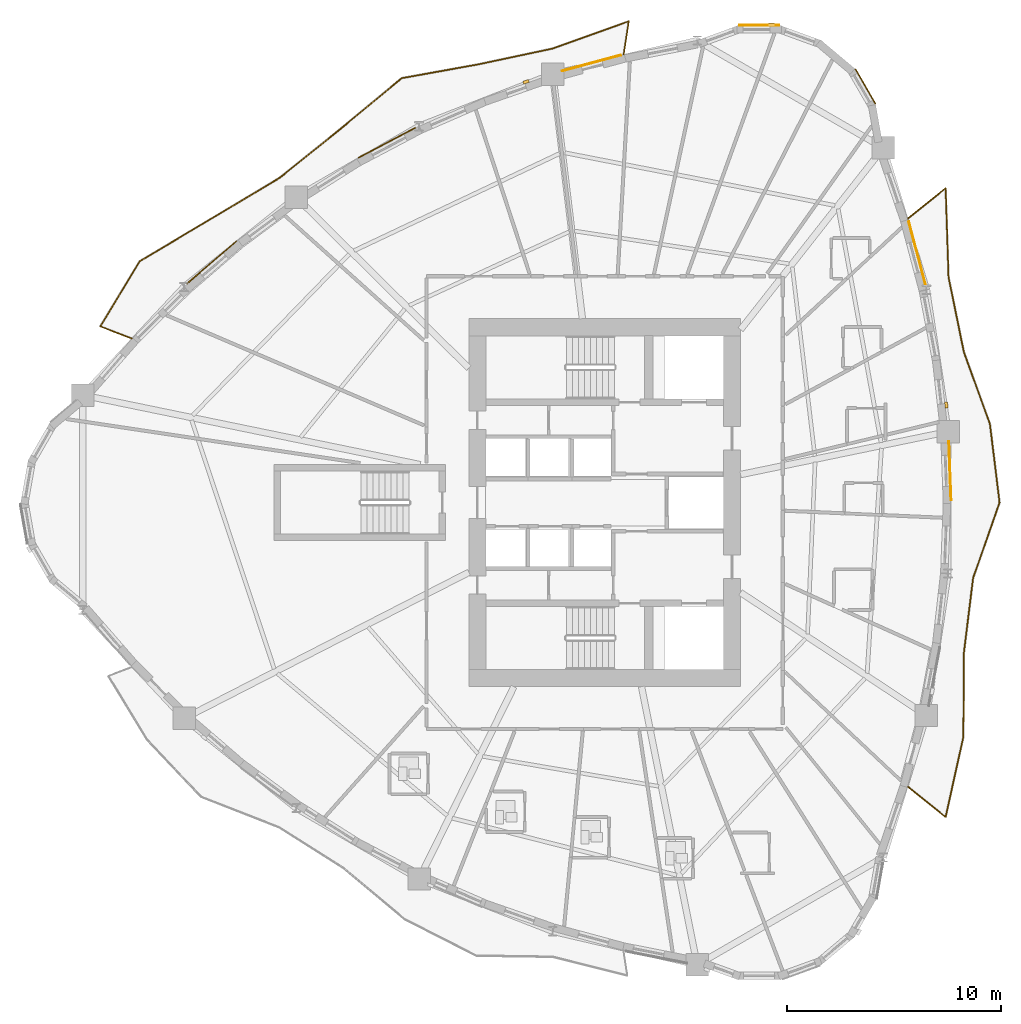
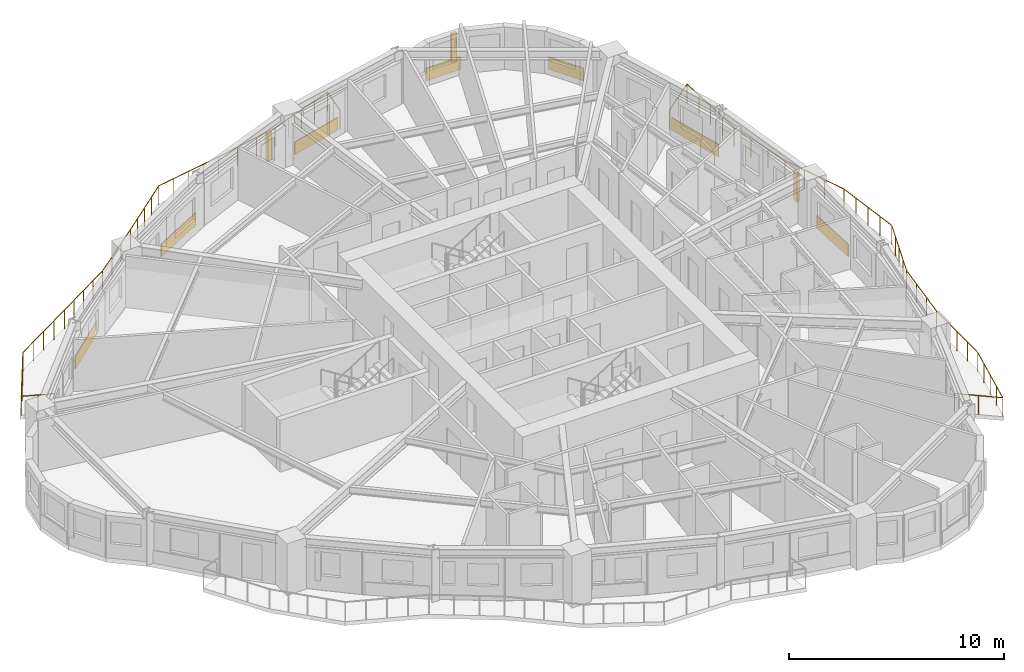
# One storey, part 13 of 14: 7 coverings, 3 shading devices, 2 railings.
"""IFC4 building model written with IfcOpenShell, lengths in metres."""

from ifc_helpers import new_model, si_unit, direction, frame, origin, origin_2d, place, context, subcontext, project, spatial, rectangle, circle, extrude, source, transform, mapped, material, layer, layer_set, type_object, element, save


model = new_model("IFC4")

# Units and contexts
model_context = context("Model", 3, precision=1e-05, world=origin(), true_north=direction((0.0, 1.0)))
body_context = subcontext(model_context, "Body", "Model", "MODEL_VIEW")
ifc_project = project(units=[si_unit("LENGTHUNIT", "METRE"), si_unit("AREAUNIT", "SQUARE_METRE"), si_unit("VOLUMEUNIT", "CUBIC_METRE"), si_unit("PLANEANGLEUNIT", "RADIAN"), si_unit("MASSUNIT", "GRAM", prefix="KILO")], contexts=[model_context])

# Site, building, storey
site_placement = place(None, origin())
site = spatial("IfcSite", under=ifc_project, at=site_placement, CompositionType="ELEMENT")
building_placement = place(site_placement, origin())
building = spatial("IfcBuilding", under=site, at=building_placement, Name="Qafzar Sky-Pleat Residences", CompositionType="ELEMENT")
storey_placement = place(building_placement, frame((0.0, 0.0, 20.60009765625)))
storey = spatial("IfcBuildingStorey", under=building, at=storey_placement, Name="L05", CompositionType="ELEMENT", Elevation=20.60009765625)

# Shading devices
ifc_material_1 = material(Name="Honed Riyadh limestone solar fin", Category="masonry")
ifc_layer_1 = layer(ifc_material_1, 0.139892578125)
ifc_layer_set_1 = layer_set([ifc_layer_1], Name="Honed Riyadh limestone solar fin")
shading_device_type = type_object("IfcShadingDeviceType", Name="SHD-FIN-STONE", PredefinedType="SHUTTER", material=ifc_layer_set_1)
shared_shape_1 = source(origin(), body_context, "Body", "SweptSolid", [
    extrude(rectangle(XDim=0.139892578125, YDim=0.280029296875, at=origin_2d()), origin(), (0.0, 0.0, 1.0), 1.60009765625),
])
for number, where, z_axis, x_axis, name in (
    (1, (46.320556640625, 30.5576171875, 0.599853515625), (0.0, 0.0, 1.0), (0.993565467025, 0.11325927218, 0.0), "L05 Limestone Solar Fin 29"),
    (2, (38.154541015625, 48.35693359375, 0.599853515625), (0.0, 0.0, 1.0), (0.0, 1.0, 0.0), "L05 Limestone Solar Fin 37"),
    (3, (26.67529296875, 45.6669921875, 0.599853515625), (0.0, 0.0, 1.0), (-0.329573011027, 0.944130091885, 0.0), "L05 Limestone Solar Fin 41"),
):
    element("IfcShadingDevice", number, at=place(storey_placement, frame(where, z_axis=z_axis, x_axis=x_axis)), inside=storey, type_object=shading_device_type, Name=name, PredefinedType="SHUTTER", context=body_context, shape_type="MappedRepresentation", body=[
        mapped(shared_shape_1, transform((0.0, 0.0, 0.0), x_axis=(1.0, 0.0, 0.0), y_axis=(0.0, 1.0, 0.0), z_axis=(0.0, 0.0, 1.0), scale=1.0)),
    ])

# Covering
ifc_material_2 = material(Name="Honed Riyadh Tuwaiq limestone cladding", Category="masonry")
ifc_layer_2 = layer(ifc_material_2, 0.044921875)
ifc_layer_set_2 = layer_set([ifc_layer_2], Name="Honed Riyadh Tuwaiq limestone cladding")
covering_type = type_object("IfcCoveringType", Name="COV-CLAD-STONE", PredefinedType="CLADDING", material=ifc_layer_set_2)
shared_shape_2 = source(origin(), body_context, "Body", "SweptSolid", [
    extrude(rectangle(XDim=1.88134765625, YDim=0.044921875, at=origin_2d()), origin(), (0.0, 0.0, 1.0), 0.719970703125),
])
covering_1_placement = place(storey_placement, frame((37.572509765625, 48.31396484375, 0.02001953125), z_axis=(0.0, 0.0, 1.0), x_axis=(-1.0, 0.0, 0.0)))
element("IfcCovering", 4, at=covering_1_placement, inside=storey, type_object=covering_type, Name="L05 Riyadh Limestone Spandrel Cladding 37", PredefinedType="CLADDING", context=body_context, shape_type="MappedRepresentation", body=[
    mapped(shared_shape_2, transform((0.0, 0.0, 0.0), x_axis=(1.0, 0.0, 0.0), y_axis=(0.0, 1.0, 0.0), z_axis=(0.0, 0.0, 1.0), scale=1.0)),
])

# Railings
ifc_material_3 = material(Name="Laminated glass and bronze steel balustrade", Category="steel")
railing_type = type_object("IfcRailingType", Name="RAIL-BAL-1100", PredefinedType="BALUSTRADE", material=ifc_material_3)
shared_shape_3 = source(origin(), body_context, "Body", "SweptSolid", [
    extrude(circle(Radius=0.02392578125, at=origin_2d()), frame((0.0, 0.0, 1.076171875), z_axis=(0.779503309926, -0.626398108087, 0.0), x_axis=(0.626398108087, 0.779503309926, 0.0)), (0.0, 0.0, 1.0), 2.270751953125),
    extrude(circle(Radius=0.02392578125, at=origin_2d()), frame((1.77001953125, -1.42236328125, 1.076171875), z_axis=(0.215647202611, 0.976471343157, 0.0), x_axis=(-0.976471343157, 0.215647202611, 0.0)), (0.0, 0.0, 1.0), 3.84814453125),
    extrude(circle(Radius=0.02392578125, at=origin_2d()), frame((2.599853515625, 2.335205078125, 1.076171875), z_axis=(0.00501686901, 0.999987415433, 0.0), x_axis=(-0.999987415433, 0.00501686901, 0.0)), (0.0, 0.0, 1.0), 3.89306640625),
    extrude(circle(Radius=0.02392578125, at=origin_2d()), frame((2.619384765625, 6.228271484375, 1.076171875), z_axis=(0.122049714152, 0.992523988262, 0.0), x_axis=(-0.992523988262, 0.122049714152, 0.0)), (0.0, 0.0, 1.0), 3.54248046875),
    extrude(circle(Radius=0.02392578125, at=origin_2d()), frame((3.0517578125, 9.744384765625, 1.076171875), z_axis=(0.331080571174, 0.943602488016, 0.0), x_axis=(-0.943602488016, 0.331080571174, 0.0)), (0.0, 0.0, 1.0), 3.73779296875),
    extrude(circle(Radius=0.02392578125, at=origin_2d()), frame((4.289306640625, 13.271484375, 1.076171875), z_axis=(-0.1217828649, 0.992556766042, 0.0), x_axis=(-0.992556766042, -0.1217828649, 0.0)), (0.0, 0.0, 1.0), 3.69677734375),
    extrude(circle(Radius=0.02392578125, at=origin_2d()), frame((3.839111328125, 16.940673828125, 1.076171875), z_axis=(-0.339972192563, 0.940435488635, 0.0), x_axis=(-0.940435488635, -0.339972192563, 0.0)), (0.0, 0.0, 1.0), 3.587646484375),
    extrude(circle(Radius=0.02392578125, at=origin_2d()), frame((2.619384765625, 20.314697265625, 1.076171875), z_axis=(-0.200154405112, 0.979764366628, 0.0), x_axis=(-0.979764366628, -0.200154405112, 0.0)), (0.0, 0.0, 1.0), 3.56787109375),
    extrude(circle(Radius=0.02392578125, at=origin_2d()), frame((1.9052734375, 23.810302734375, 1.076171875), z_axis=(-0.032534621155, 0.999470609086, 0.0), x_axis=(-0.999470609086, -0.032534621155, 0.0)), (0.0, 0.0, 1.0), 4.1572265625),
    extrude(circle(Radius=0.02392578125, at=origin_2d()), frame((1.77001953125, 27.96533203125, 1.076171875), z_axis=(-0.779503309926, -0.626398108087, 0.0), x_axis=(0.626398108087, -0.779503309926, 0.0)), (0.0, 0.0, 1.0), 2.270751953125),
    extrude(circle(Radius=0.02099609375, at=origin_2d()), origin(), (0.0, 0.0, 1.0), 1.052001953125),
    extrude(circle(Radius=0.02099609375, at=origin_2d()), frame((0.885009765625, -0.711181640625, 0.0)), (0.0, 0.0, 1.0), 1.052001953125),
    extrude(circle(Radius=0.02099609375, at=origin_2d()), frame((1.77001953125, -1.42236328125, 0.0)), (0.0, 0.0, 1.0), 1.052001953125),
    extrude(circle(Radius=0.02099609375, at=origin_2d()), frame((1.9775390625, -0.48291015625, 0.0)), (0.0, 0.0, 1.0), 1.052001953125),
    extrude(circle(Radius=0.02099609375, at=origin_2d()), frame((2.18505859375, 0.45654296875, 0.0)), (0.0, 0.0, 1.0), 1.052001953125),
    extrude(circle(Radius=0.02099609375, at=origin_2d()), frame((2.392333984375, 1.395751953125, 0.0)), (0.0, 0.0, 1.0), 1.052001953125),
    extrude(circle(Radius=0.02099609375, at=origin_2d()), frame((2.599853515625, 2.335205078125, 0.0)), (0.0, 0.0, 1.0), 1.052001953125),
    extrude(circle(Radius=0.02099609375, at=origin_2d()), frame((2.604736328125, 3.30859375, 0.0)), (0.0, 0.0, 1.0), 1.052001953125),
    extrude(circle(Radius=0.02099609375, at=origin_2d()), frame((2.609619140625, 4.28173828125, 0.0)), (0.0, 0.0, 1.0), 1.052001953125),
    extrude(circle(Radius=0.02099609375, at=origin_2d()), frame((2.614501953125, 5.2548828125, 0.0)), (0.0, 0.0, 1.0), 1.052001953125),
    extrude(circle(Radius=0.02099609375, at=origin_2d()), frame((2.619384765625, 6.228271484375, 0.0)), (0.0, 0.0, 1.0), 1.052001953125),
    extrude(circle(Radius=0.02099609375, at=origin_2d()), frame((2.763427734375, 7.400390625, 0.0)), (0.0, 0.0, 1.0), 1.052001953125),
    extrude(circle(Radius=0.02099609375, at=origin_2d()), frame((2.90771484375, 8.572265625, 0.0)), (0.0, 0.0, 1.0), 1.052001953125),
    extrude(circle(Radius=0.02099609375, at=origin_2d()), frame((3.0517578125, 9.744384765625, 0.0)), (0.0, 0.0, 1.0), 1.052001953125),
    extrude(circle(Radius=0.02099609375, at=origin_2d()), frame((3.361083984375, 10.626220703125, 0.0)), (0.0, 0.0, 1.0), 1.052001953125),
    extrude(circle(Radius=0.02099609375, at=origin_2d()), frame((3.67041015625, 11.5078125, 0.0)), (0.0, 0.0, 1.0), 1.052001953125),
    extrude(circle(Radius=0.02099609375, at=origin_2d()), frame((3.97998046875, 12.3896484375, 0.0)), (0.0, 0.0, 1.0), 1.052001953125),
    extrude(circle(Radius=0.02099609375, at=origin_2d()), frame((4.289306640625, 13.271484375, 0.0)), (0.0, 0.0, 1.0), 1.052001953125),
    extrude(circle(Radius=0.02099609375, at=origin_2d()), frame((4.1767578125, 14.188720703125, 0.0)), (0.0, 0.0, 1.0), 1.052001953125),
    extrude(circle(Radius=0.02099609375, at=origin_2d()), frame((4.064208984375, 15.10595703125, 0.0)), (0.0, 0.0, 1.0), 1.052001953125),
    extrude(circle(Radius=0.02099609375, at=origin_2d()), frame((3.95166015625, 16.0234375, 0.0)), (0.0, 0.0, 1.0), 1.052001953125),
    extrude(circle(Radius=0.02099609375, at=origin_2d()), frame((3.839111328125, 16.940673828125, 0.0)), (0.0, 0.0, 1.0), 1.052001953125),
    extrude(circle(Radius=0.02099609375, at=origin_2d()), frame((3.4326171875, 18.0654296875, 0.0)), (0.0, 0.0, 1.0), 1.052001953125),
    extrude(circle(Radius=0.02099609375, at=origin_2d()), frame((3.02587890625, 19.18994140625, 0.0)), (0.0, 0.0, 1.0), 1.052001953125),
    extrude(circle(Radius=0.02099609375, at=origin_2d()), frame((2.619384765625, 20.314697265625, 0.0)), (0.0, 0.0, 1.0), 1.052001953125),
    extrude(circle(Radius=0.02099609375, at=origin_2d()), frame((2.38134765625, 21.47998046875, 0.0)), (0.0, 0.0, 1.0), 1.052001953125),
    extrude(circle(Radius=0.02099609375, at=origin_2d()), frame((2.143310546875, 22.64501953125, 0.0)), (0.0, 0.0, 1.0), 1.052001953125),
    extrude(circle(Radius=0.02099609375, at=origin_2d()), frame((1.9052734375, 23.810302734375, 0.0)), (0.0, 0.0, 1.0), 1.052001953125),
    extrude(circle(Radius=0.02099609375, at=origin_2d()), frame((1.87158203125, 24.84912109375, 0.0)), (0.0, 0.0, 1.0), 1.052001953125),
    extrude(circle(Radius=0.02099609375, at=origin_2d()), frame((1.837646484375, 25.8876953125, 0.0)), (0.0, 0.0, 1.0), 1.052001953125),
    extrude(circle(Radius=0.02099609375, at=origin_2d()), frame((1.8037109375, 26.926513671875, 0.0)), (0.0, 0.0, 1.0), 1.052001953125),
    extrude(circle(Radius=0.02099609375, at=origin_2d()), frame((1.77001953125, 27.96533203125, 0.0)), (0.0, 0.0, 1.0), 1.052001953125),
    extrude(circle(Radius=0.02099609375, at=origin_2d()), frame((0.885009765625, 27.254150390625, 0.0)), (0.0, 0.0, 1.0), 1.052001953125),
    extrude(circle(Radius=0.02099609375, at=origin_2d()), frame((0.0, 26.54296875, 0.0)), (0.0, 0.0, 1.0), 1.052001953125),
])
railing_1_placement = place(storey_placement, frame((44.51611328125, 12.728515625, 0.0)))
element("IfcRailing", 5, at=railing_1_placement, inside=storey, type_object=railing_type, Name="L05 Pleated Balcony 1 Balustrade", PredefinedType="BALUSTRADE", context=body_context, shape_type="MappedRepresentation", body=[
    mapped(shared_shape_3, transform((0.0, 0.0, 0.0), x_axis=(1.0, 0.0, 0.0), y_axis=(0.0, 1.0, 0.0), z_axis=(0.0, 0.0, 1.0), scale=1.0)),
])
shared_shape_4 = source(origin(), body_context, "Body", "SweptSolid", [
    extrude(circle(Radius=0.02392578125, at=origin_2d()), frame((0.0, 0.0, 1.076171875), z_axis=(0.152719901367, 0.988269513709, 0.0), x_axis=(-0.988269513709, 0.152719901367, 0.0)), (0.0, 0.0, 1.0), 1.577880859375),
    extrude(circle(Radius=0.02392578125, at=origin_2d()), frame((0.240966796875, 1.559326171875, 1.076171875), z_axis=(-0.941418698415, -0.337240024722, 0.0), x_axis=(0.337240024722, -0.941418698415, 0.0)), (0.0, 0.0, 1.0), 3.78173828125),
    extrude(circle(Radius=0.02392578125, at=origin_2d()), frame((-3.3193359375, 0.283935546875, 1.076171875), z_axis=(-0.978059775103, -0.208324449658, 0.0), x_axis=(0.208324449658, -0.978059775103, 0.0)), (0.0, 0.0, 1.0), 3.52978515625),
    extrude(circle(Radius=0.02392578125, at=origin_2d()), frame((-6.771728515625, -0.451416015625, 1.076171875), z_axis=(-0.984145359814, -0.177363780847, 0.0), x_axis=(0.177363780847, -0.984145359814, 0.0)), (0.0, 0.0, 1.0), 3.657470703125),
    extrude(circle(Radius=0.02392578125, at=origin_2d()), frame((-10.37109375, -1.10009765625, 1.076171875), z_axis=(-0.769927607377, -0.638131239949, 0.0), x_axis=(0.638131239949, -0.769927607377, 0.0)), (0.0, 0.0, 1.0), 3.793701171875),
    extrude(circle(Radius=0.02392578125, at=origin_2d()), frame((-13.2919921875, -3.52099609375, 1.076171875), z_axis=(-0.779532197109, -0.626362158555, 0.0), x_axis=(0.626362158555, -0.779532197109, 0.0)), (0.0, 0.0, 1.0), 3.56884765625),
    extrude(circle(Radius=0.02392578125, at=origin_2d()), frame((-16.073974609375, -5.75634765625, 1.076171875), z_axis=(-0.858128845967, -0.5134344006, 0.0), x_axis=(0.5134344006, -0.858128845967, 0.0)), (0.0, 0.0, 1.0), 3.65478515625),
    extrude(circle(Radius=0.02392578125, at=origin_2d()), frame((-19.210205078125, -7.6328125, 1.076171875), z_axis=(-0.859940284901, -0.510394657499, 0.0), x_axis=(0.510394657499, -0.859940284901, 0.0)), (0.0, 0.0, 1.0), 3.953857421875),
    extrude(circle(Radius=0.02392578125, at=origin_2d()), frame((-22.6103515625, -9.65087890625, 1.076171875), z_axis=(-0.518236465089, -0.855237374214, 0.0), x_axis=(0.855237374214, -0.518236465089, 0.0)), (0.0, 0.0, 1.0), 3.565673828125),
    extrude(circle(Radius=0.02392578125, at=origin_2d()), frame((-24.458251953125, -12.700439453125, 1.076171875), z_axis=(0.932236741176, -0.361848944177, 0.0), x_axis=(0.361848944177, 0.932236741176, 0.0)), (0.0, 0.0, 1.0), 1.578125),
    extrude(circle(Radius=0.02099609375, at=origin_2d()), origin(), (0.0, 0.0, 1.0), 1.052001953125),
    extrude(circle(Radius=0.02099609375, at=origin_2d()), frame((0.12060546875, 0.77978515625, 0.0)), (0.0, 0.0, 1.0), 1.052001953125),
    extrude(circle(Radius=0.02099609375, at=origin_2d()), frame((0.240966796875, 1.559326171875, 0.0)), (0.0, 0.0, 1.0), 1.052001953125),
    extrude(circle(Radius=0.02099609375, at=origin_2d()), frame((-0.649169921875, 1.240478515625, 0.0)), (0.0, 0.0, 1.0), 1.052001953125),
    extrude(circle(Radius=0.02099609375, at=origin_2d()), frame((-1.5390625, 0.921630859375, 0.0)), (0.0, 0.0, 1.0), 1.052001953125),
    extrude(circle(Radius=0.02099609375, at=origin_2d()), frame((-2.42919921875, 0.602783203125, 0.0)), (0.0, 0.0, 1.0), 1.052001953125),
    extrude(circle(Radius=0.02099609375, at=origin_2d()), frame((-3.3193359375, 0.283935546875, 0.0)), (0.0, 0.0, 1.0), 1.052001953125),
    extrude(circle(Radius=0.02099609375, at=origin_2d()), frame((-4.47021484375, 0.038818359375, 0.0)), (0.0, 0.0, 1.0), 1.052001953125),
    extrude(circle(Radius=0.02099609375, at=origin_2d()), frame((-5.620849609375, -0.206298828125, 0.0)), (0.0, 0.0, 1.0), 1.052001953125),
    extrude(circle(Radius=0.02099609375, at=origin_2d()), frame((-6.771728515625, -0.451416015625, 0.0)), (0.0, 0.0, 1.0), 1.052001953125),
    extrude(circle(Radius=0.02099609375, at=origin_2d()), frame((-7.671630859375, -0.613525390625, 0.0)), (0.0, 0.0, 1.0), 1.052001953125),
    extrude(circle(Radius=0.02099609375, at=origin_2d()), frame((-8.5712890625, -0.77587890625, 0.0)), (0.0, 0.0, 1.0), 1.052001953125),
    extrude(circle(Radius=0.02099609375, at=origin_2d()), frame((-9.47119140625, -0.93798828125, 0.0)), (0.0, 0.0, 1.0), 1.052001953125),
    extrude(circle(Radius=0.02099609375, at=origin_2d()), frame((-10.37109375, -1.10009765625, 0.0)), (0.0, 0.0, 1.0), 1.052001953125),
    extrude(circle(Radius=0.02099609375, at=origin_2d()), frame((-11.101318359375, -1.705322265625, 0.0)), (0.0, 0.0, 1.0), 1.052001953125),
    extrude(circle(Radius=0.02099609375, at=origin_2d()), frame((-11.83154296875, -2.310546875, 0.0)), (0.0, 0.0, 1.0), 1.052001953125),
    extrude(circle(Radius=0.02099609375, at=origin_2d()), frame((-12.561767578125, -2.915771484375, 0.0)), (0.0, 0.0, 1.0), 1.052001953125),
    extrude(circle(Radius=0.02099609375, at=origin_2d()), frame((-13.2919921875, -3.52099609375, 0.0)), (0.0, 0.0, 1.0), 1.052001953125),
    extrude(circle(Radius=0.02099609375, at=origin_2d()), frame((-14.21923828125, -4.26611328125, 0.0)), (0.0, 0.0, 1.0), 1.052001953125),
    extrude(circle(Radius=0.02099609375, at=origin_2d()), frame((-15.146728515625, -5.01123046875, 0.0)), (0.0, 0.0, 1.0), 1.052001953125),
    extrude(circle(Radius=0.02099609375, at=origin_2d()), frame((-16.073974609375, -5.75634765625, 0.0)), (0.0, 0.0, 1.0), 1.052001953125),
    extrude(circle(Radius=0.02099609375, at=origin_2d()), frame((-16.85791015625, -6.2255859375, 0.0)), (0.0, 0.0, 1.0), 1.052001953125),
    extrude(circle(Radius=0.02099609375, at=origin_2d()), frame((-17.64208984375, -6.694580078125, 0.0)), (0.0, 0.0, 1.0), 1.052001953125),
    extrude(circle(Radius=0.02099609375, at=origin_2d()), frame((-18.42626953125, -7.16357421875, 0.0)), (0.0, 0.0, 1.0), 1.052001953125),
    extrude(circle(Radius=0.02099609375, at=origin_2d()), frame((-19.210205078125, -7.6328125, 0.0)), (0.0, 0.0, 1.0), 1.052001953125),
    extrude(circle(Radius=0.02099609375, at=origin_2d()), frame((-20.060302734375, -8.13720703125, 0.0)), (0.0, 0.0, 1.0), 1.052001953125),
    extrude(circle(Radius=0.02099609375, at=origin_2d()), frame((-20.91015625, -8.641845703125, 0.0)), (0.0, 0.0, 1.0), 1.052001953125),
    extrude(circle(Radius=0.02099609375, at=origin_2d()), frame((-21.76025390625, -9.146484375, 0.0)), (0.0, 0.0, 1.0), 1.052001953125),
    extrude(circle(Radius=0.02099609375, at=origin_2d()), frame((-22.6103515625, -9.65087890625, 0.0)), (0.0, 0.0, 1.0), 1.052001953125),
    extrude(circle(Radius=0.02099609375, at=origin_2d()), frame((-23.226318359375, -10.66748046875, 0.0)), (0.0, 0.0, 1.0), 1.052001953125),
    extrude(circle(Radius=0.02099609375, at=origin_2d()), frame((-23.84228515625, -11.683837890625, 0.0)), (0.0, 0.0, 1.0), 1.052001953125),
    extrude(circle(Radius=0.02099609375, at=origin_2d()), frame((-24.458251953125, -12.700439453125, 0.0)), (0.0, 0.0, 1.0), 1.052001953125),
    extrude(circle(Radius=0.02099609375, at=origin_2d()), frame((-23.72265625, -12.98583984375, 0.0)), (0.0, 0.0, 1.0), 1.052001953125),
    extrude(circle(Radius=0.02099609375, at=origin_2d()), frame((-22.987060546875, -13.271484375, 0.0)), (0.0, 0.0, 1.0), 1.052001953125),
])
railing_2_placement = place(storey_placement, frame((31.235595703125, 46.93896484375, 0.0)))
element("IfcRailing", 6, at=railing_2_placement, inside=storey, type_object=railing_type, Name="L05 Pleated Balcony 2 Balustrade", PredefinedType="BALUSTRADE", context=body_context, shape_type="MappedRepresentation", body=[
    mapped(shared_shape_4, transform((0.0, 0.0, 0.0), x_axis=(1.0, 0.0, 0.0), y_axis=(0.0, 1.0, 0.0), z_axis=(0.0, 0.0, 1.0), scale=1.0)),
])

# Coverings
shared_shape_5 = source(origin(), body_context, "Body", "SweptSolid", [
    extrude(rectangle(XDim=1.881103515625, YDim=0.044921875, at=origin_2d()), origin(), (0.0, 0.0, 1.0), 0.719970703125),
])
covering_2_placement = place(storey_placement, frame((42.5380859375, 45.447021484375, 0.02001953125), z_axis=(0.0, 0.0, 1.0), x_axis=(-0.499993018474, 0.866029434533, 0.0)))
element("IfcCovering", 7, at=covering_2_placement, inside=storey, type_object=covering_type, Name="L05 Riyadh Limestone Spandrel Cladding 34", PredefinedType="CLADDING", context=body_context, shape_type="MappedRepresentation", body=[
    mapped(shared_shape_5, transform((0.0, 0.0, 0.0), x_axis=(1.0, 0.0, 0.0), y_axis=(0.0, 1.0, 0.0), z_axis=(0.0, 0.0, 1.0), scale=1.0)),
])
shared_shape_6 = source(origin(), body_context, "Body", "SweptSolid", [
    extrude(rectangle(XDim=2.750732421875, YDim=0.044921875, at=origin_2d()), origin(), (0.0, 0.0, 1.0), 0.719970703125),
])
covering_3_placement = place(storey_placement, frame((46.488037109375, 27.489990234375, 0.02001953125), z_axis=(0.0, 0.0, 1.0), x_axis=(-0.037985792756, 0.999278279334, 0.0)))
element("IfcCovering", 8, at=covering_3_placement, inside=storey, type_object=covering_type, Name="L05 Riyadh Limestone Spandrel Cladding 28", PredefinedType="CLADDING", context=body_context, shape_type="MappedRepresentation", body=[
    mapped(shared_shape_6, transform((0.0, 0.0, 0.0), x_axis=(1.0, 0.0, 0.0), y_axis=(0.0, 1.0, 0.0), z_axis=(0.0, 0.0, 1.0), scale=1.0)),
])
shared_shape_7 = source(origin(), body_context, "Body", "SweptSolid", [
    extrude(rectangle(XDim=3.1044921875, YDim=0.044921875, at=origin_2d()), origin(), (0.0, 0.0, 1.0), 0.719970703125),
])
covering_4_placement = place(storey_placement, frame((44.96142578125, 37.6396484375, 0.02001953125), z_axis=(0.0, 0.0, 1.0), x_axis=(-0.257038257932, 0.966401228248, 0.0)))
element("IfcCovering", 9, at=covering_4_placement, inside=storey, type_object=covering_type, Name="L05 Riyadh Limestone Spandrel Cladding 31", PredefinedType="CLADDING", context=body_context, shape_type="MappedRepresentation", body=[
    mapped(shared_shape_7, transform((0.0, 0.0, 0.0), x_axis=(1.0, 0.0, 0.0), y_axis=(0.0, 1.0, 0.0), z_axis=(0.0, 0.0, 1.0), scale=1.0)),
])
shared_shape_8 = source(origin(), body_context, "Body", "SweptSolid", [
    extrude(rectangle(XDim=2.852294921875, YDim=0.044921875, at=origin_2d()), origin(), (0.0, 0.0, 1.0), 0.719970703125),
])
covering_5_placement = place(storey_placement, frame((29.734619140625, 46.54541015625, 0.02001953125), z_axis=(0.0, 0.0, 1.0), x_axis=(-0.965458693239, -0.260556158339, 0.0)))
element("IfcCovering", 10, at=covering_5_placement, inside=storey, type_object=covering_type, Name="L05 Riyadh Limestone Spandrel Cladding 40", PredefinedType="CLADDING", context=body_context, shape_type="MappedRepresentation", body=[
    mapped(shared_shape_8, transform((0.0, 0.0, 0.0), x_axis=(1.0, 0.0, 0.0), y_axis=(0.0, 1.0, 0.0), z_axis=(0.0, 0.0, 1.0), scale=1.0)),
])
shared_shape_9 = source(origin(), body_context, "Body", "SweptSolid", [
    extrude(rectangle(XDim=3.002685546875, YDim=0.044921875, at=origin_2d()), origin(), (0.0, 0.0, 1.0), 0.719970703125),
])
covering_6_placement = place(storey_placement, frame((20.170166015625, 42.821533203125, 0.02001953125), z_axis=(0.0, 0.0, 1.0), x_axis=(-0.88438647122, -0.46675536368, 0.0)))
element("IfcCovering", 11, at=covering_6_placement, inside=storey, type_object=covering_type, Name="L05 Riyadh Limestone Spandrel Cladding 43", PredefinedType="CLADDING", context=body_context, shape_type="MappedRepresentation", body=[
    mapped(shared_shape_9, transform((0.0, 0.0, 0.0), x_axis=(1.0, 0.0, 0.0), y_axis=(0.0, 1.0, 0.0), z_axis=(0.0, 0.0, 1.0), scale=1.0)),
])
shared_shape_10 = source(origin(), body_context, "Body", "SweptSolid", [
    extrude(rectangle(XDim=3.053955078125, YDim=0.044921875, at=origin_2d()), origin(), (0.0, 0.0, 1.0), 0.719970703125),
])
covering_7_placement = place(storey_placement, frame((11.976318359375, 37.222412109375, 0.02001953125), z_axis=(0.0, 0.0, 1.0), x_axis=(-0.757491872048, -0.652844593898, 0.0)))
element("IfcCovering", 12, at=covering_7_placement, inside=storey, type_object=covering_type, Name="L05 Riyadh Limestone Spandrel Cladding 46", PredefinedType="CLADDING", context=body_context, shape_type="MappedRepresentation", body=[
    mapped(shared_shape_10, transform((0.0, 0.0, 0.0), x_axis=(1.0, 0.0, 0.0), y_axis=(0.0, 1.0, 0.0), z_axis=(0.0, 0.0, 1.0), scale=1.0)),
])

save(model, "model.ifc")
